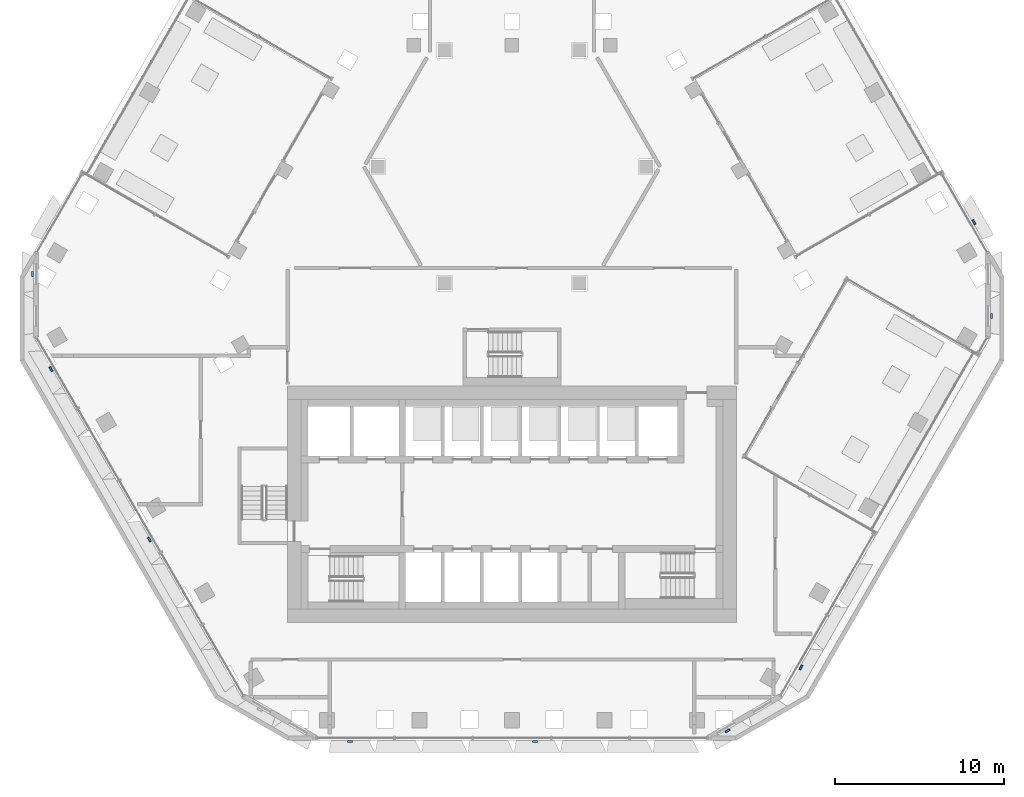
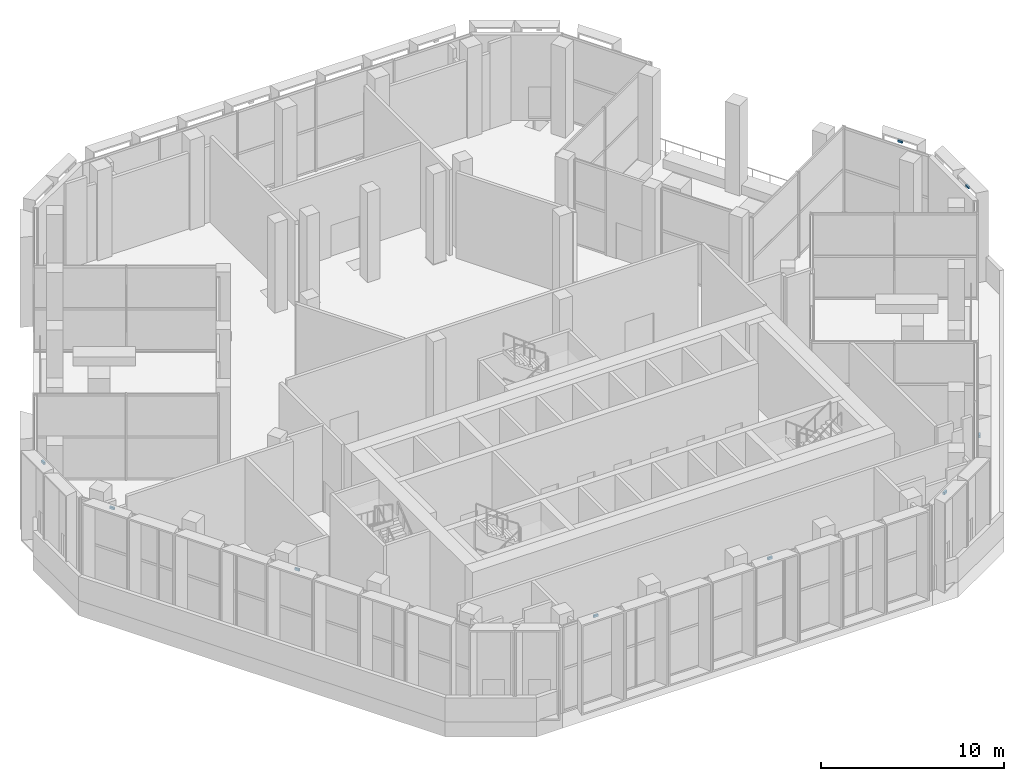
# One storey, part 16 of 27: 9 discrete accessories.
"""IFC4 building model written with IfcOpenShell, lengths in metres."""

from ifc_helpers import new_model, si_unit, direction, frame, origin, place, context, subcontext, project, spatial, polyline, outline, extrude, source, transform, mapped, material, type_object, type_shapes, element, save


model = new_model("IFC4")

# Units and contexts
model_context = context("Model", 3, precision=1e-05, world=origin(), true_north=direction((0.0, 1.0)))
body_context = subcontext(model_context, "Body", "Model", "MODEL_VIEW")
ifc_project = project(units=[si_unit("LENGTHUNIT", "METRE"), si_unit("AREAUNIT", "SQUARE_METRE"), si_unit("VOLUMEUNIT", "CUBIC_METRE"), si_unit("PLANEANGLEUNIT", "RADIAN"), si_unit("MASSUNIT", "GRAM", prefix="KILO")], contexts=[model_context])

# Site, building, storey
site_placement = place(None, origin())
site = spatial("IfcSite", under=ifc_project, at=site_placement, CompositionType="ELEMENT")
building_placement = place(site_placement, origin())
building = spatial("IfcBuilding", under=site, at=building_placement, Name="Beryl Residences", CompositionType="ELEMENT")
storey_placement = place(building_placement, frame((0.0, 0.0, 111.60009765625)))
storey = spatial("IfcBuildingStorey", under=building, at=storey_placement, Name="L34", CompositionType="ELEMENT", Elevation=111.60009765625)

# Discrete accessories
ifc_material = material(Name="Steel S355", Category="steel")
discrete_accessory_type = type_object("IfcDiscreteAccessoryType", Name="BR1 frame bracket 300 x 120 x 150 mm", PredefinedType="BRACKET", material=ifc_material)
shared_shape = source(origin(), body_context, "Body", "SweptSolid", [
    extrude(outline(polyline([(-0.14990234375, 0.0), (0.14990234375, 0.0), (0.14990234375, 0.1201171875), (-0.14990234375, 0.1201171875), (-0.14990234375, 0.0)])), origin(), (0.0, 0.0, 1.0), 0.14990234375),
])
type_shapes(discrete_accessory_type, [shared_shape])
for number, where, z_axis, x_axis, name in (
    (1, (-28.347900390625, 1.64990234375, 5.75), (0.0, 0.0, 1.0), (0.0, 1.0, 0.0), "BR1 bracket L34 NW-SW 1"),
    (2, (-27.27294921875, -3.9619140625, 5.75), (0.0, 0.0, 1.0), (-0.5, 0.866025403784, 0.0), "BR1 bracket L34 SW 1"),
    (3, (-21.44189453125, -14.06201171875, 5.75), (0.0, 0.0, 1.0), (-0.5, 0.866025403784, 0.0), "BR1 bracket L34 SW 5"),
    (4, (-9.597900390625, -26.0, 5.75), (0.0, 0.0, 1.0), (-1.0, 0.0, 0.0), "BR1 bracket L34 S 1"),
    (5, (1.3720703125, -26.0, 5.75), (0.0, 0.0, 1.0), (-1.0, 0.0, 0.0), "BR1 bracket L34 S 5"),
    (6, (12.7451171875, -25.375, 5.75), (0.0, 0.0, 1.0), (-0.866025403784, -0.5, 0.0), "BR1 bracket L34 S-SE 1"),
    (7, (17.06689453125, -21.637939453125, 5.75), (0.0, 0.0, 1.0), (-0.5, -0.866025403784, 0.0), "BR1 bracket L34 SE 1"),
    (8, (28.347900390625, -0.85009765625, 5.75), (0.0, 0.0, 1.0), (0.0, -1.0, 0.0), "BR1 bracket L34 SE-NE 1"),
    (9, (27.31591796875, 4.68701171875, 5.75), (0.0, 0.0, 1.0), (0.5, -0.866025403784, 0.0), "BR1 bracket L34 NE 1"),
):
    element("IfcDiscreteAccessory", number, at=place(storey_placement, frame(where, z_axis=z_axis, x_axis=x_axis)), inside=storey, type_object=discrete_accessory_type, Name=name, PredefinedType="BRACKET", context=body_context, shape_type="MappedRepresentation", body=[
        mapped(shared_shape, transform((0.0, 0.0, 0.0))),
    ])

save(model, "model.ifc")
